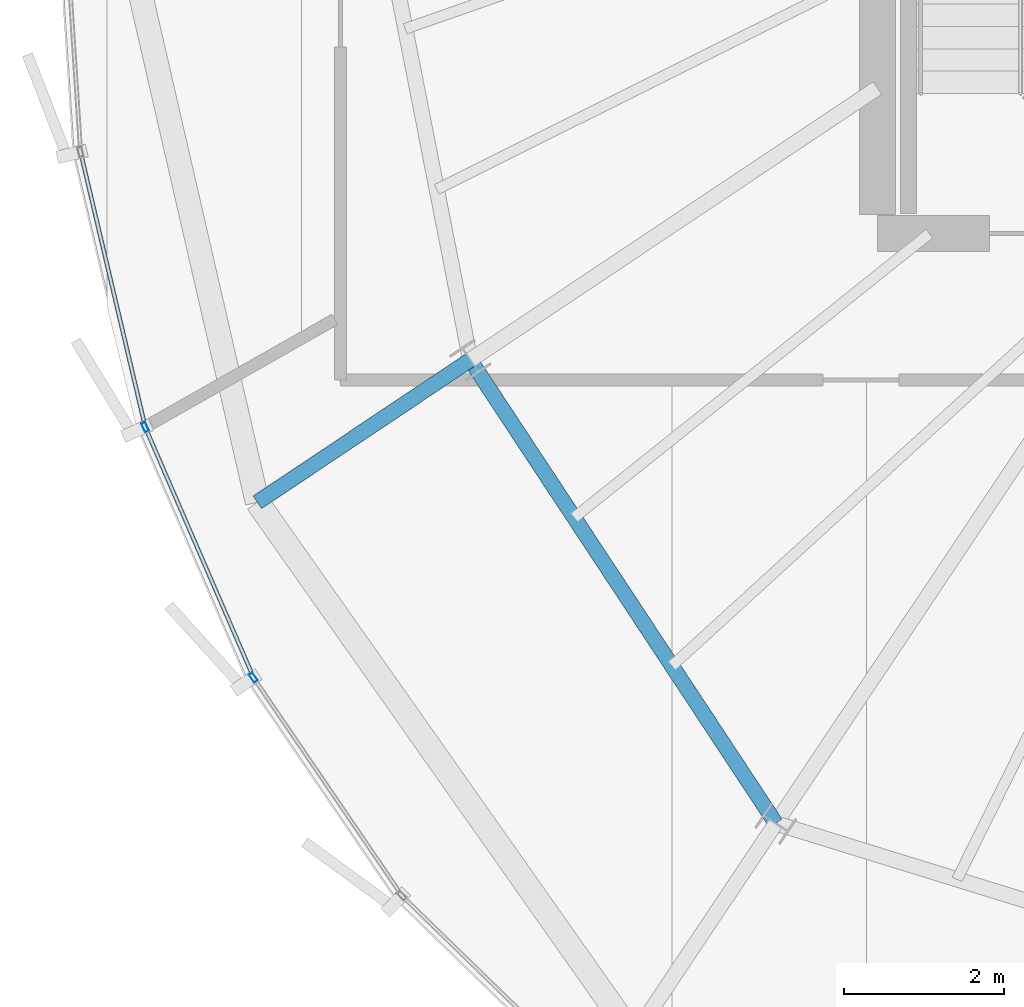
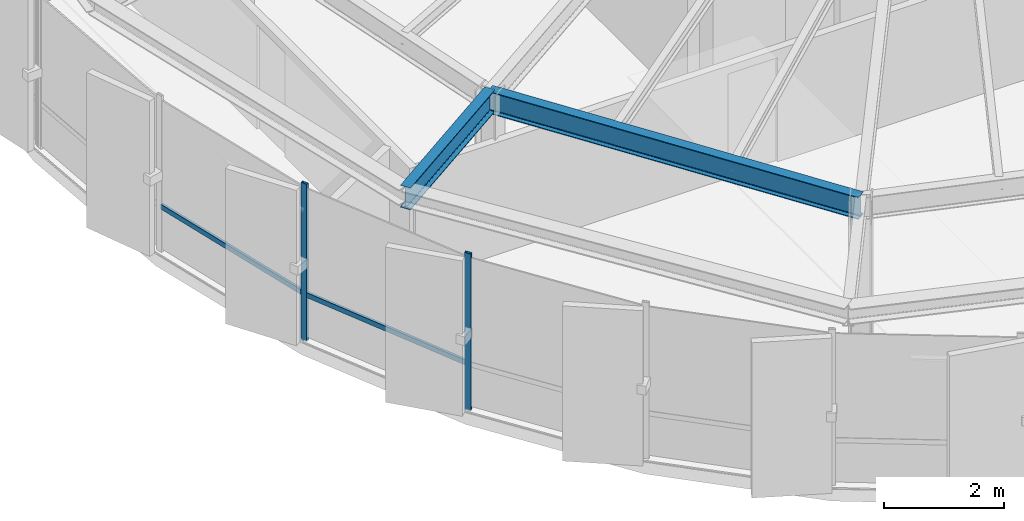
# One storey, part 4 of 31: 4 members, 2 beams, 1 element without a shape of its own.
"""IFC4 building model written with IfcOpenShell, lengths in metres."""

from ifc_helpers import new_model, si_unit, direction, frame, origin, origin_2d, place, context, subcontext, project, spatial, hollow_rectangle, i_section, extrude, source, transform, mapped, material, layer, layer_set, material_profile, profile_set, type_object, element, aggregate, save


model = new_model("IFC4")

# Units and contexts
model_context = context("Model", 3, precision=1e-05, world=origin(), true_north=direction((0.0, 1.0)))
body_context = subcontext(model_context, "Body", "Model", "MODEL_VIEW")
ifc_project = project(units=[si_unit("LENGTHUNIT", "METRE"), si_unit("AREAUNIT", "SQUARE_METRE"), si_unit("VOLUMEUNIT", "CUBIC_METRE"), si_unit("PLANEANGLEUNIT", "RADIAN"), si_unit("MASSUNIT", "GRAM", prefix="KILO"), si_unit("THERMODYNAMICTEMPERATUREUNIT", "KELVIN")], contexts=[model_context])

# Site, building, storey
site_placement = place(None, origin())
site = spatial("IfcSite", under=ifc_project, at=site_placement, CompositionType="ELEMENT")
building_placement = place(site_placement, origin())
building = spatial("IfcBuilding", under=site, at=building_placement, Name="Kethvar Cultural Tower", CompositionType="ELEMENT")
storey_placement = place(building_placement, frame((0.0, 0.0, 290.5)))
storey = spatial("IfcBuildingStorey", under=building, at=storey_placement, Name="L77", CompositionType="ELEMENT", Elevation=290.5)

# Beams
ifc_material_1 = material(Name="Steel S355J2", Category="steel")
ifc_material_profile_1 = material_profile(ifc_material_1, i_section(OverallWidth=0.18994140625, OverallDepth=0.449951171875, WebThickness=0.009521484375, FlangeThickness=0.0146484375, FilletRadius=0.02099609375, at=origin_2d()), Name="Steel S355J2 — IPE450")
ifc_profile_set_1 = profile_set([ifc_material_profile_1], Name="Steel S355J2 — IPE450")
beam_type = type_object("IfcBeamType", Name="BM-IPE450", PredefinedType="BEAM", material=ifc_profile_set_1)
shared_shape_1 = source(origin(), body_context, "Body", "SweptSolid", [
    extrude(i_section(OverallWidth=0.18994140625, OverallDepth=0.449951171875, WebThickness=0.009521484375, FlangeThickness=0.0146484375, FilletRadius=0.02099609375, at=origin_2d()), origin(), (0.0, 0.0, 1.0), 3.199951171875),
])
beam_1_placement = place(storey_placement, frame((32.912841796875, 18.52099609375, 2.98291015625), z_axis=(-0.831462943996, -0.555580212716, 0.0), x_axis=(0.555580212716, -0.831462943996, 0.0)))
element("IfcBeam", 1, at=beam_1_placement, inside=storey, type_object=beam_type, Name="L77 Perimeter Cantilever Beam RC-10", PredefinedType="BEAM", context=body_context, shape_type="MappedRepresentation", body=[
    mapped(shared_shape_1, transform((0.0, 0.0, 0.0), scale=1.0)),
])
shared_shape_2 = source(origin(), body_context, "Body", "SweptSolid", [
    extrude(i_section(OverallWidth=0.18994140625, OverallDepth=0.449951171875, WebThickness=0.009521484375, FlangeThickness=0.0146484375, FilletRadius=0.02099609375, at=origin_2d()), origin(), (0.0, 0.0, 1.0), 6.935791015625),
])
beam_2_placement = place(storey_placement, frame((32.912841796875, 18.52099609375, 2.98291015625), z_axis=(0.550534204139, -0.834812607759, 0.0), x_axis=(0.834812607759, 0.550534204139, 0.0)))
element("IfcBeam", 2, at=beam_2_placement, inside=storey, type_object=beam_type, Name="L77 Column Ring Tie Beam CR-10", PredefinedType="BEAM", context=body_context, shape_type="MappedRepresentation", body=[
    mapped(shared_shape_2, transform((0.0, 0.0, 0.0), scale=1.0)),
])

# Curtain wall, members
ifc_material_2 = material(Name="Aluminium 6063-T6", Category="aluminium")
ifc_layer = layer(ifc_material_2, 0.179931640625, Name="Aluminium 6063-T6", Category="aluminium")
ifc_layer_set = layer_set([ifc_layer], Name="Aluminium 6063-T6 (180 mm)")
curtain_wall_type = type_object("IfcCurtainWallType", Name="CW-SYS-05-Z56", PredefinedType="NOTDEFINED", material=ifc_layer_set)
curtain_wall_placement = place(storey_placement, origin())
curtain_wall = element("IfcCurtainWall", 3, at=curtain_wall_placement, inside=storey, type_object=curtain_wall_type, Name="L77 Curtain Wall Run 03", PredefinedType="NOTDEFINED")
ifc_material_profile_2 = material_profile(ifc_material_2, hollow_rectangle(XDim=0.054931640625, YDim=0.1201171875, WallThickness=0.00390625, at=origin_2d()), Name="Aluminium 6063-T6 — RHS120x55x4")
ifc_profile_set_2 = profile_set([ifc_material_profile_2], Name="Aluminium 6063-T6 — RHS120x55x4")
member_type_1 = type_object("IfcMemberType", Name="CW-SYS-05-Z56-MUL", PredefinedType="MULLION", material=ifc_profile_set_2)
shared_shape_3 = source(origin(), body_context, "Body", "SweptSolid", [
    extrude(hollow_rectangle(XDim=0.054931640625, YDim=0.1201171875, WallThickness=0.00390625, at=origin_2d()), origin(), (0.0, 0.0, 1.0), 3.2099609375),
])
member_1_placement = place(storey_placement, frame((28.85009765625, 17.683349609375, 0.0), z_axis=(0.0, 0.0, 1.0), x_axis=(0.917761557083, 0.397131872734, 0.0)))
member_1 = element("IfcMember", 4, at=member_1_placement, type_object=member_type_1, Name="CW-L77-R03 Mullion 3", PredefinedType="MULLION", context=body_context, shape_type="MappedRepresentation", body=[
    mapped(shared_shape_3, transform((0.0, 0.0, 0.0), scale=1.0)),
])
member_2_placement = place(storey_placement, frame((30.202392578125, 14.553955078125, 0.0), z_axis=(0.0, 0.0, 1.0), x_axis=(0.826412897957, 0.563064580746, 0.0)))
member_2 = element("IfcMember", 5, at=member_2_placement, type_object=member_type_1, Name="CW-L77-R03 Mullion 4", PredefinedType="MULLION", context=body_context, shape_type="MappedRepresentation", body=[
    mapped(shared_shape_3, transform((0.0, 0.0, 0.0), scale=1.0)),
])
ifc_material_profile_3 = material_profile(ifc_material_2, hollow_rectangle(XDim=0.050048828125, YDim=0.10009765625, WallThickness=0.00390625, at=origin_2d()), Name="Aluminium 6063-T6 — RHS100x50x4")
ifc_profile_set_3 = profile_set([ifc_material_profile_3], Name="Aluminium 6063-T6 — RHS100x50x4")
member_type_2 = type_object("IfcMemberType", Name="CW-SYS-05-Z56-TRN", PredefinedType="USERDEFINED", material=ifc_profile_set_3)
shared_shape_4 = source(origin(), body_context, "Body", "SweptSolid", [
    extrude(hollow_rectangle(XDim=0.050048828125, YDim=0.10009765625, WallThickness=0.00390625, at=origin_2d()), origin(), (0.0, 0.0, 1.0), 3.4697265625),
])
member_3_placement = place(storey_placement, frame((28.0517578125, 21.08251953125, 0.949951171875), z_axis=(0.229102083246, -0.973402401606, 0.0), x_axis=(0.973402401606, 0.229102083246, 0.0)))
member_3 = element("IfcMember", 6, at=member_3_placement, type_object=member_type_2, Name="CW-L77-R03 Transom 2", ObjectType="TRANSOM", PredefinedType="USERDEFINED", context=body_context, shape_type="MappedRepresentation", body=[
    mapped(shared_shape_4, transform((0.0, 0.0, 0.0), scale=1.0)),
])
shared_shape_5 = source(origin(), body_context, "Body", "SweptSolid", [
    extrude(hollow_rectangle(XDim=0.050048828125, YDim=0.10009765625, WallThickness=0.00390625, at=origin_2d()), origin(), (0.0, 0.0, 1.0), 3.3486328125),
])
member_4_placement = place(storey_placement, frame((28.865966796875, 17.64697265625, 0.949951171875), z_axis=(0.397128606589, -0.917762970395, 0.0), x_axis=(0.917762970395, 0.397128606589, 0.0)))
member_4 = element("IfcMember", 7, at=member_4_placement, type_object=member_type_2, Name="CW-L77-R03 Transom 3", ObjectType="TRANSOM", PredefinedType="USERDEFINED", context=body_context, shape_type="MappedRepresentation", body=[
    mapped(shared_shape_5, transform((0.0, 0.0, 0.0), scale=1.0)),
])
aggregate(curtain_wall, [member_1, member_2, member_3, member_4])

save(model, "model.ifc")
